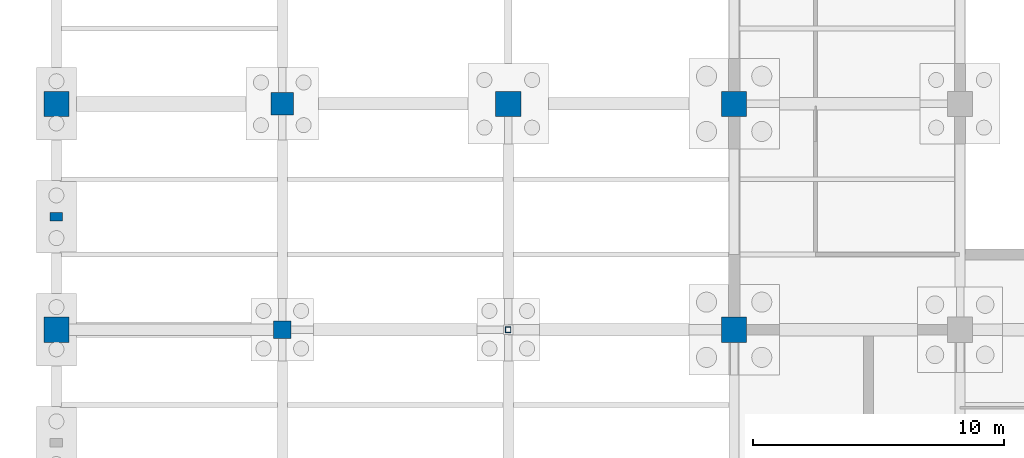
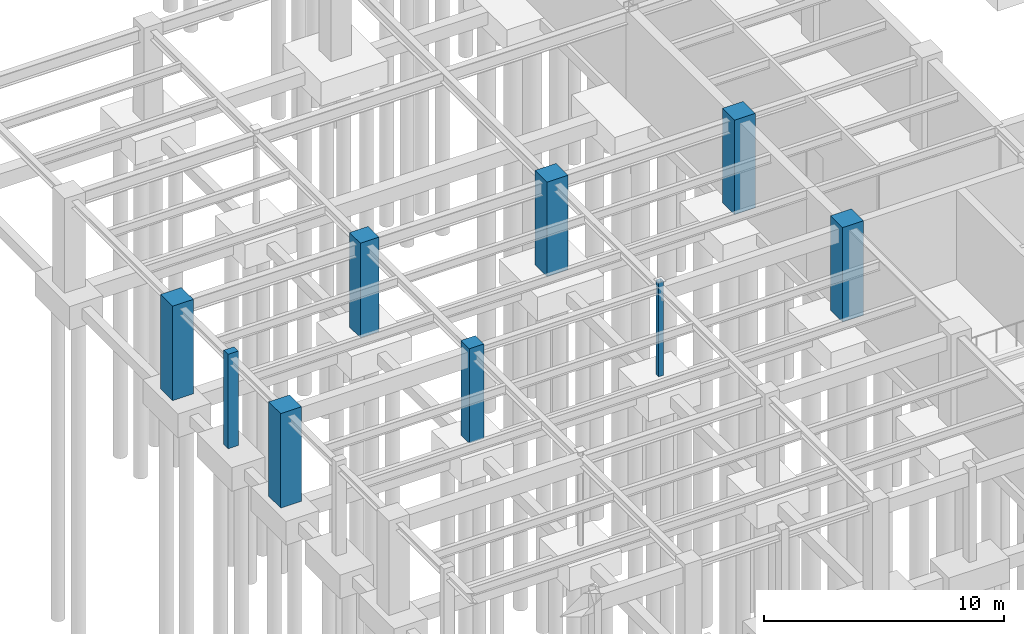
# One storey, part 11 of 49: 9 columns.
"""IFC4 building model written with IfcOpenShell, lengths in metres."""

from ifc_helpers import new_model, si_unit, direction, frame, origin, origin_2d, place, context, subcontext, project, spatial, rectangle, hollow_rectangle, extrude, material, material_profile, profile_set, type_object, element, save


model = new_model("IFC4")

# Units and contexts
model_context = context("Model", 3, precision=1e-05, world=origin(), true_north=direction((0.0, 1.0)))
body_context = subcontext(model_context, "Body", "Model", "MODEL_VIEW")
ifc_project = project(units=[si_unit("LENGTHUNIT", "METRE"), si_unit("AREAUNIT", "SQUARE_METRE"), si_unit("VOLUMEUNIT", "CUBIC_METRE"), si_unit("PLANEANGLEUNIT", "RADIAN"), si_unit("MASSUNIT", "GRAM", prefix="KILO")], contexts=[model_context])

# Site, building, storey
site_placement = place(None, origin())
site = spatial("IfcSite", under=ifc_project, at=site_placement, CompositionType="ELEMENT")
building_placement = place(site_placement, origin())
building = spatial("IfcBuilding", under=site, at=building_placement, Name="Lykobir Media Centre", CompositionType="ELEMENT")
storey_placement = place(building_placement, frame((0.0, 0.0, -4.800048828125)))
storey = spatial("IfcBuildingStorey", under=building, at=storey_placement, Name="B1", CompositionType="ELEMENT", Elevation=-4.800048828125)

# Columns
ifc_material_1 = material(Name="Honed Travertine Stone", Category="masonry")
ifc_material_profile_1 = material_profile(ifc_material_1, rectangle(XDim=0.35009765625, YDim=0.5, at=origin_2d()), Name="RC PILASTER 500x350")
ifc_profile_set_1 = profile_set([ifc_material_profile_1], Name="Honed Travertine Stone")
column_type_1 = type_object("IfcColumnType", Name="PIL-500", PredefinedType="PILASTER", material=ifc_profile_set_1)
column_1_placement = place(storey_placement, frame((0.0, 22.5, 0.0), z_axis=(0.0, 0.0, 1.0), x_axis=(0.0, 1.0, 0.0)))
element("IfcColumn", 1, at=column_1_placement, inside=storey, type_object=column_type_1, Name="V1 west pilaster B1 22.5", PredefinedType="PILASTER", context=body_context, shape_type="SweptSolid", body=[
    extrude(rectangle(XDim=0.35009765625, YDim=0.5, at=origin_2d()), origin(), (0.0, 0.0, 1.0), 4.800048828125),
])
ifc_material_2 = material(Name="Concrete C40/50", Category="concrete")
ifc_material_profile_2 = material_profile(ifc_material_2, rectangle(XDim=1.0, YDim=1.0, at=origin_2d()), Name="RC 1000x1000")
ifc_profile_set_2 = profile_set([ifc_material_profile_2], Name="Concrete C40/50")
column_type_2 = type_object("IfcColumnType", Name="RC-C1000", PredefinedType="COLUMN", material=ifc_profile_set_2)
for number, where, z_axis, x_axis, name in (
    (2, (18.0, 27.0, 0.0), (0.0, 0.0, 1.0), (1.0, 0.0, 0.0), "Column COL-B1-0180-0270"),
    (3, (27.0, 18.0, 0.0), (0.0, 0.0, 1.0), (1.0, 0.0, 0.0), "Column COL-B1-0270-0180"),
    (4, (27.0, 27.0, 0.0), (0.0, 0.0, 1.0), (1.0, 0.0, 0.0), "Column COL-B1-0270-0270"),
):
    element("IfcColumn", number, at=place(storey_placement, frame(where, z_axis=z_axis, x_axis=x_axis)), inside=storey, type_object=column_type_2, Name=name, PredefinedType="COLUMN", context=body_context, shape_type="SweptSolid", body=[
        extrude(rectangle(XDim=1.0, YDim=1.0, at=origin_2d()), origin(), (0.0, 0.0, 1.0), 4.800048828125),
    ])
ifc_material_profile_3 = material_profile(ifc_material_2, rectangle(XDim=1.0, YDim=1.0, at=origin_2d()), Name="RC 1000x1000")
ifc_profile_set_3 = profile_set([ifc_material_profile_3], Name="Concrete C40/50")
column_type_3 = type_object("IfcColumnType", Name="RC-C1000-E", PredefinedType="COLUMN", material=ifc_profile_set_3)
for number, where, z_axis, x_axis, name in (
    (5, (0.0, 18.0, 0.0), (0.0, 0.0, 1.0), (1.0, 0.0, 0.0), "Column COL-B1-0000-0180"),
    (6, (0.0, 27.0, 0.0), (0.0, 0.0, 1.0), (1.0, 0.0, 0.0), "Column COL-B1-0000-0270"),
):
    element("IfcColumn", number, at=place(storey_placement, frame(where, z_axis=z_axis, x_axis=x_axis)), inside=storey, type_object=column_type_3, Name=name, PredefinedType="COLUMN", context=body_context, shape_type="SweptSolid", body=[
        extrude(rectangle(XDim=1.0, YDim=1.0, at=origin_2d()), origin(), (0.0, 0.0, 1.0), 4.800048828125),
    ])
ifc_material_profile_4 = material_profile(ifc_material_2, rectangle(XDim=0.699951171875, YDim=0.699951171875, at=origin_2d()), Name="RC 700x700")
ifc_profile_set_4 = profile_set([ifc_material_profile_4], Name="Concrete C40/50")
column_type_4 = type_object("IfcColumnType", Name="RC-C700", PredefinedType="COLUMN", material=ifc_profile_set_4)
column_2_placement = place(storey_placement, frame((9.0, 18.0, 0.0), z_axis=(0.0, 0.0, 1.0), x_axis=(1.0, 0.0, 0.0)))
element("IfcColumn", 7, at=column_2_placement, inside=storey, type_object=column_type_4, Name="Column COL-B1-0090-0180", PredefinedType="COLUMN", context=body_context, shape_type="SweptSolid", body=[
    extrude(rectangle(XDim=0.699951171875, YDim=0.699951171875, at=origin_2d()), origin(), (0.0, 0.0, 1.0), 4.800048828125),
])
ifc_material_profile_5 = material_profile(ifc_material_2, rectangle(XDim=0.89990234375, YDim=0.89990234375, at=origin_2d()), Name="RC 900x900")
ifc_profile_set_5 = profile_set([ifc_material_profile_5], Name="Concrete C40/50")
column_type_5 = type_object("IfcColumnType", Name="RC-C900", PredefinedType="COLUMN", material=ifc_profile_set_5)
column_3_placement = place(storey_placement, frame((9.0, 27.0, 0.0), z_axis=(0.0, 0.0, 1.0), x_axis=(1.0, 0.0, 0.0)))
element("IfcColumn", 8, at=column_3_placement, inside=storey, type_object=column_type_5, Name="Column COL-B1-0090-0270", PredefinedType="COLUMN", context=body_context, shape_type="SweptSolid", body=[
    extrude(rectangle(XDim=0.89990234375, YDim=0.89990234375, at=origin_2d()), origin(), (0.0, 0.0, 1.0), 4.800048828125),
])
ifc_material_3 = material(Name="Steel S355", Category="steel")
ifc_material_profile_6 = material_profile(ifc_material_3, hollow_rectangle(XDim=0.219970703125, YDim=0.219970703125, WallThickness=0.012451171875, at=origin_2d()), Name="SHS 220x220x12.5")
ifc_profile_set_6 = profile_set([ifc_material_profile_6], Name="Steel S355")
column_type_6 = type_object("IfcColumnType", Name="SC-SHS220", PredefinedType="COLUMN", material=ifc_profile_set_6)
column_4_placement = place(storey_placement, frame((18.0, 18.0, 0.0), z_axis=(0.0, 0.0, 1.0), x_axis=(1.0, 0.0, 0.0)))
element("IfcColumn", 9, at=column_4_placement, inside=storey, type_object=column_type_6, Name="Column COL-B1-0180-0180", PredefinedType="COLUMN", context=body_context, shape_type="SweptSolid", body=[
    extrude(hollow_rectangle(XDim=0.219970703125, YDim=0.219970703125, WallThickness=0.012451171875, at=origin_2d()), origin(), (0.0, 0.0, 1.0), 4.800048828125),
])

save(model, "model.ifc")
